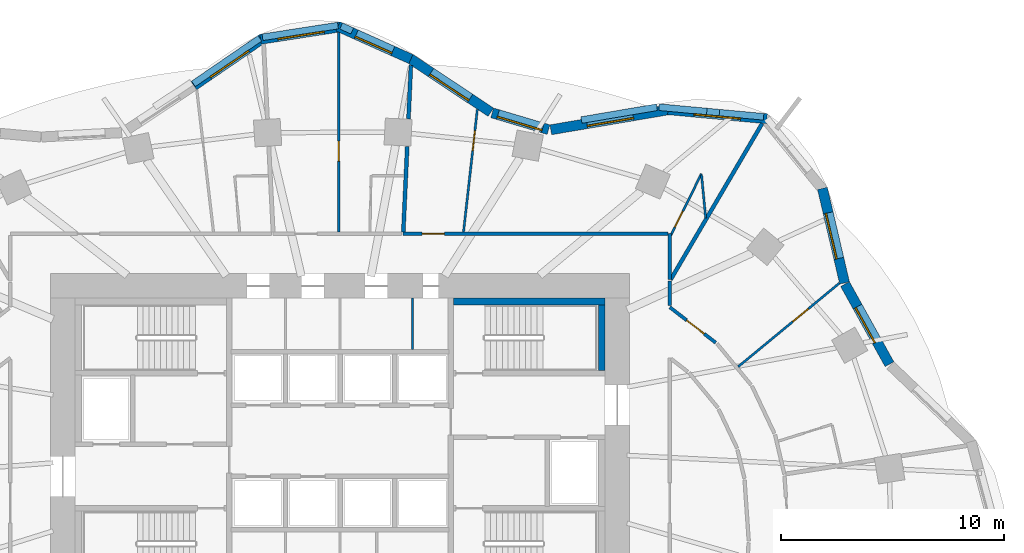
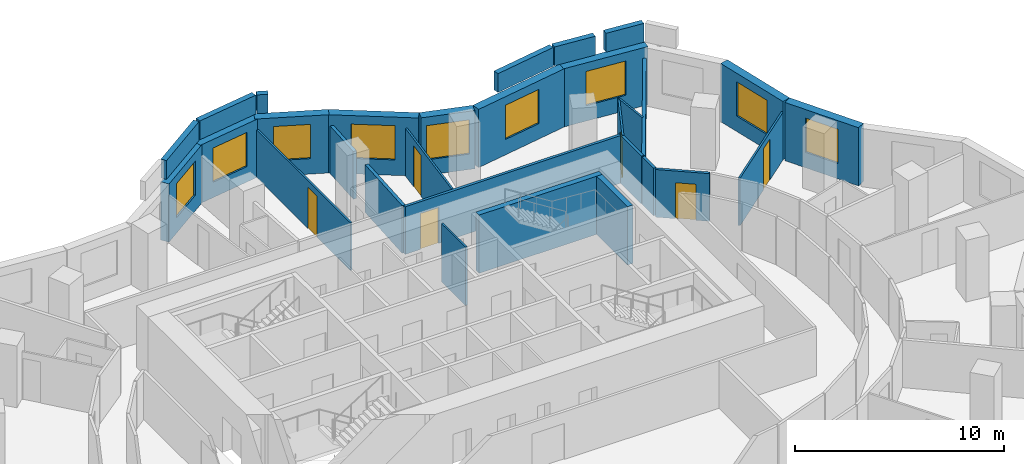
# One storey, part 9 of 11: 30 walls, 9 windows, 6 doors, 15 openings.
"""IFC4 building model written with IfcOpenShell, lengths in metres."""

from ifc_helpers import new_model, si_unit, direction, frame, frame_2d, origin, place, context, subcontext, project, spatial, rectangle, extrude, material, layer, layer_set, type_object, element, fill, save


model = new_model("IFC4")

# Units and contexts
model_context = context("Model", 3, precision=1e-05, world=origin(), true_north=direction((0.0, 1.0)))
body_context = subcontext(model_context, "Body", "Model", "MODEL_VIEW")
ifc_project = project(units=[si_unit("LENGTHUNIT", "METRE"), si_unit("AREAUNIT", "SQUARE_METRE"), si_unit("VOLUMEUNIT", "CUBIC_METRE"), si_unit("PLANEANGLEUNIT", "RADIAN"), si_unit("MASSUNIT", "GRAM", prefix="KILO")], contexts=[model_context])

# Site, building, storey
site_placement = place(None, origin())
site = spatial("IfcSite", under=ifc_project, at=site_placement, CompositionType="ELEMENT")
building_placement = place(site_placement, origin())
building = spatial("IfcBuilding", under=site, at=building_placement, Name="Rubra Terraces Tower", CompositionType="ELEMENT")
storey_placement = place(building_placement, frame((0.0, 0.0, 81.60009765625)))
storey = spatial("IfcBuildingStorey", under=building, at=storey_placement, Name="L18", CompositionType="ELEMENT", Elevation=81.60009765625)

# Walls
ifc_material_1 = material(Name="Twin plasterboard on staggered steel stud, acoustic mineral wool", Category="steel")
ifc_layer_1 = layer(ifc_material_1, 0.175048828125)
ifc_layer_set_1 = layer_set([ifc_layer_1], Name="Twin plasterboard on staggered steel stud, acoustic mineral wool")
wall_type_1 = type_object("IfcWallType", Name="ACOUSTIC PARTY WALL 175", PredefinedType="PARTITIONING", material=ifc_layer_set_1)
wall_1_placement = place(storey_placement, frame((18.94873046875, 18.745361328125, 0.0), z_axis=(0.0, 0.0, 1.0), x_axis=(-0.505754187447, -0.862677634972, 0.0)))
element("IfcWall", 1, at=wall_1_placement, inside=storey, type_object=wall_type_1, Name="PARTITION", PredefinedType="PARTITIONING", context=body_context, shape_type="SweptSolid", body=[
    extrude(rectangle(XDim=8.128173828125, YDim=0.175048828125, at=frame_2d((4.06396484375, 0.0))), origin(), (0.0, 0.0, 1.0), 2.783935546875),
])
wall_2_placement = place(storey_placement, frame((3.180419921875, 21.357177734375, 0.0), z_axis=(0.0, 0.0, 1.0), x_axis=(-0.045591899448, -0.998960148707, 0.0)))
element("IfcWall", 2, at=wall_2_placement, inside=storey, type_object=wall_type_1, Name="PARTITION", PredefinedType="PARTITIONING", context=body_context, shape_type="SweptSolid", body=[
    extrude(rectangle(XDim=2.404296875, YDim=0.175048828125, at=frame_2d((1.2021484375, 0.0))), origin(), (0.0, 0.0, 1.0), 2.783935546875),
])
wall_3_placement = place(storey_placement, frame((3.01416015625, 17.716796875, 0.0), z_axis=(0.0, 0.0, 1.0), x_axis=(-0.045517086473, -0.998963560316, 0.0)))
element("IfcWall", 3, at=wall_3_placement, inside=storey, type_object=wall_type_1, Name="PARTITION", PredefinedType="PARTITIONING", context=body_context, shape_type="SweptSolid", body=[
    extrude(rectangle(XDim=3.845703125, YDim=0.175048828125, at=frame_2d((1.9228515625, 0.0))), origin(), (0.0, 0.0, 1.0), 2.783935546875),
])

# Wall, opening, window
ifc_material_2 = material(Name="Brick masonry red-brown", Category="masonry")
ifc_layer_2 = layer(ifc_material_2, 0.449951171875)
ifc_layer_set_2 = layer_set([ifc_layer_2], Name="Brick masonry red-brown")
wall_type_2 = type_object("IfcWallType", Name="Brick facade wall 450", PredefinedType="SOLIDWALL", material=ifc_layer_set_2)
wall_4_placement = place(storey_placement, frame((24.662109375, 7.93896484375, 0.0), z_axis=(0.0, 0.0, 1.0), x_axis=(-0.485153910721, 0.874428775208, 0.0)))
wall_4 = element("IfcWall", 4, at=wall_4_placement, inside=storey, type_object=wall_type_2, Name="Facade wall L18 bay 3", PredefinedType="SOLIDWALL", context=body_context, shape_type="SweptSolid", body=[
    extrude(rectangle(XDim=4.1123046875, YDim=0.449951171875, at=frame_2d((2.05615234375, 0.0))), origin(), (0.0, 0.0, 1.0), 3.39990234375),
])
opening_1_placement = place(wall_4_placement, frame((1.15625, 0.0, 0.89990234375)))
opening_1 = element("IfcOpeningElement", 5, at=opening_1_placement, cuts=wall_4, Name="Opening W6", PredefinedType="OPENING", context=body_context, shape_type="SweptSolid", body=[
    extrude(rectangle(XDim=1.800048828125, YDim=2.0, at=frame_2d((0.89990234375, 1.0))), frame((0.0, 0.23486328125, 0.0), z_axis=(0.0, -1.0, 0.0), x_axis=(1.0, 0.0, 0.0)), (0.0, 0.0, 1.0), 0.469970703125),
])
ifc_material_3 = material(Name="Clear glass in aluminium frame", Category="aluminium")
window_type_1 = type_object("IfcWindowType", Name="Fixed deep-set window at wind fin 1800 x 2000", PartitioningType="SINGLE_PANEL", PredefinedType="WINDOW", material=ifc_material_3)
window_1_placement = place(opening_1_placement, origin())
window_1 = element("IfcWindow", 6, at=window_1_placement, inside=storey, type_object=window_type_1, Name="Window L18 bay 3", OverallHeight=2.0, OverallWidth=1.800048828125, PartitioningType="SINGLE_PANEL", PredefinedType="WINDOW", context=body_context, shape_type="SweptSolid", body=[
    extrude(rectangle(XDim=1.800048828125, YDim=2.0, at=frame_2d((0.89990234375, 1.0))), frame((0.0, 0.135009765625, 0.0), z_axis=(0.0, -1.0, 0.0), x_axis=(1.0, 0.0, 0.0)), (0.0, 0.0, 1.0), 0.06005859375),
])
fill(opening_1, window_1)

wall_5_placement = place(storey_placement, frame((22.646484375, 11.5859375, 0.0), z_axis=(0.0, 0.0, 1.0), x_axis=(-0.227925124198, 0.973678662475, 0.0)))
wall_5 = element("IfcWall", 7, at=wall_5_placement, inside=storey, type_object=wall_type_2, Name="Facade wall L18 bay 4", PredefinedType="SOLIDWALL", context=body_context, shape_type="SweptSolid", body=[
    extrude(rectangle(XDim=4.360595703125, YDim=0.449951171875, at=frame_2d((2.18017578125, 0.0))), origin(), (0.0, 0.0, 1.0), 3.39990234375),
])
opening_2_placement = place(wall_5_placement, frame((1.13037109375, 0.0, 0.89990234375)))
opening_2 = element("IfcOpeningElement", 8, at=opening_2_placement, cuts=wall_5, Name="Opening W1", PredefinedType="OPENING", context=body_context, shape_type="SweptSolid", body=[
    extrude(rectangle(XDim=2.10009765625, YDim=2.0, at=frame_2d((1.050048828125, 1.0))), frame((0.0, 0.23486328125, 0.0), z_axis=(0.0, -1.0, 0.0), x_axis=(1.0, 0.0, 0.0)), (0.0, 0.0, 1.0), 0.469970703125),
])
window_type_2 = type_object("IfcWindowType", Name="Fixed deep-set window 2100 x 2000", PartitioningType="SINGLE_PANEL", PredefinedType="WINDOW", material=ifc_material_3)
window_2_placement = place(opening_2_placement, origin())
window_2 = element("IfcWindow", 9, at=window_2_placement, inside=storey, type_object=window_type_2, Name="Window L18 bay 4", OverallHeight=2.0, OverallWidth=2.10009765625, PartitioningType="SINGLE_PANEL", PredefinedType="WINDOW", context=body_context, shape_type="SweptSolid", body=[
    extrude(rectangle(XDim=2.10009765625, YDim=2.0, at=frame_2d((1.050048828125, 1.0))), frame((0.0, 0.135009765625, 0.0), z_axis=(0.0, -1.0, 0.0), x_axis=(1.0, 0.0, 0.0)), (0.0, 0.0, 1.0), 0.06005859375),
])
fill(opening_2, window_2)

wall_6_placement = place(storey_placement, frame((19.1591796875, 18.955810546875, 0.0), z_axis=(0.0, 0.0, 1.0), x_axis=(-0.995777399421, 0.091800712424, 0.0)))
wall_6 = element("IfcWall", 10, at=wall_6_placement, inside=storey, type_object=wall_type_2, Name="Facade wall L18 bay 6", PredefinedType="SOLIDWALL", context=body_context, shape_type="SweptSolid", body=[
    extrude(rectangle(XDim=4.45458984375, YDim=0.449951171875, at=frame_2d((2.227294921875, 0.0))), origin(), (0.0, 0.0, 1.0), 3.39990234375),
])
opening_3_placement = place(wall_6_placement, frame((1.177490234375, 0.0, 0.89990234375)))
opening_3 = element("IfcOpeningElement", 11, at=opening_3_placement, cuts=wall_6, Name="Opening W1", PredefinedType="OPENING", context=body_context, shape_type="SweptSolid", body=[
    extrude(rectangle(XDim=2.10009765625, YDim=2.0, at=frame_2d((1.050048828125, 1.0))), frame((0.0, 0.23486328125, 0.0), z_axis=(0.0, -1.0, 0.0), x_axis=(1.0, 0.0, 0.0)), (0.0, 0.0, 1.0), 0.469970703125),
])
window_3_placement = place(opening_3_placement, origin())
window_3 = element("IfcWindow", 12, at=window_3_placement, inside=storey, type_object=window_type_2, Name="Window L18 bay 6", OverallHeight=2.0, OverallWidth=2.10009765625, PartitioningType="SINGLE_PANEL", PredefinedType="WINDOW", context=body_context, shape_type="SweptSolid", body=[
    extrude(rectangle(XDim=2.10009765625, YDim=2.0, at=frame_2d((1.050048828125, 1.0))), frame((0.0, 0.135009765625, 0.0), z_axis=(0.0, -1.0, 0.0), x_axis=(1.0, 0.0, 0.0)), (0.0, 0.0, 1.0), 0.06005859375),
])
fill(opening_3, window_3)

wall_7_placement = place(storey_placement, frame((14.78173828125, 19.366943359375, 0.0), z_axis=(0.0, 0.0, 1.0), x_axis=(-0.98585584667, -0.167595493934, 0.0)))
wall_7 = element("IfcWall", 13, at=wall_7_placement, inside=storey, type_object=wall_type_2, Name="Facade wall L18 bay 7", PredefinedType="SOLIDWALL", context=body_context, shape_type="SweptSolid", body=[
    extrude(rectangle(XDim=5.398681640625, YDim=0.449951171875, at=frame_2d((2.69921875, 0.0))), origin(), (0.0, 0.0, 1.0), 3.39990234375),
])
opening_4_placement = place(wall_7_placement, frame((1.6494140625, 0.0, 0.89990234375)))
opening_4 = element("IfcOpeningElement", 14, at=opening_4_placement, cuts=wall_7, Name="Opening W1", PredefinedType="OPENING", context=body_context, shape_type="SweptSolid", body=[
    extrude(rectangle(XDim=2.10009765625, YDim=2.0, at=frame_2d((1.050048828125, 1.0))), frame((0.0, 0.23486328125, 0.0), z_axis=(0.0, -1.0, 0.0), x_axis=(1.0, 0.0, 0.0)), (0.0, 0.0, 1.0), 0.469970703125),
])
window_4_placement = place(opening_4_placement, origin())
window_4 = element("IfcWindow", 15, at=window_4_placement, inside=storey, type_object=window_type_2, Name="Window L18 bay 7", OverallHeight=2.0, OverallWidth=2.10009765625, PartitioningType="SINGLE_PANEL", PredefinedType="WINDOW", context=body_context, shape_type="SweptSolid", body=[
    extrude(rectangle(XDim=2.10009765625, YDim=2.0, at=frame_2d((1.050048828125, 1.0))), frame((0.0, 0.135009765625, 0.0), z_axis=(0.0, -1.0, 0.0), x_axis=(1.0, 0.0, 0.0)), (0.0, 0.0, 1.0), 0.06005859375),
])
fill(opening_4, window_4)

wall_8_placement = place(storey_placement, frame((9.357421875, 18.468505859375, 0.0), z_axis=(0.0, 0.0, 1.0), x_axis=(-0.958524054629, 0.285011643091, 0.0)))
wall_8 = element("IfcWall", 16, at=wall_8_placement, inside=storey, type_object=wall_type_2, Name="Facade wall L18 bay 8", PredefinedType="SOLIDWALL", context=body_context, shape_type="SweptSolid", body=[
    extrude(rectangle(XDim=2.637451171875, YDim=0.449951171875, at=frame_2d((1.31884765625, 0.0))), origin(), (0.0, 0.0, 1.0), 3.39990234375),
])
opening_5_placement = place(wall_8_placement, frame((0.268798828125, 0.0, 0.89990234375)))
opening_5 = element("IfcOpeningElement", 17, at=opening_5_placement, cuts=wall_8, Name="Opening W1", PredefinedType="OPENING", context=body_context, shape_type="SweptSolid", body=[
    extrude(rectangle(XDim=2.10009765625, YDim=2.0, at=frame_2d((1.050048828125, 1.0))), frame((0.0, 0.23486328125, 0.0), z_axis=(0.0, -1.0, 0.0), x_axis=(1.0, 0.0, 0.0)), (0.0, 0.0, 1.0), 0.469970703125),
])
window_5_placement = place(opening_5_placement, origin())
window_5 = element("IfcWindow", 18, at=window_5_placement, inside=storey, type_object=window_type_2, Name="Window L18 bay 8", OverallHeight=2.0, OverallWidth=2.10009765625, PartitioningType="SINGLE_PANEL", PredefinedType="WINDOW", context=body_context, shape_type="SweptSolid", body=[
    extrude(rectangle(XDim=2.10009765625, YDim=2.0, at=frame_2d((1.050048828125, 1.0))), frame((0.0, 0.135009765625, 0.0), z_axis=(0.0, -1.0, 0.0), x_axis=(1.0, 0.0, 0.0)), (0.0, 0.0, 1.0), 0.06005859375),
])
fill(opening_5, window_5)

wall_9_placement = place(storey_placement, frame((6.76904296875, 19.248291015625, 0.0), z_axis=(0.0, 0.0, 1.0), x_axis=(-0.832973379274, 0.553313066375, 0.0)))
wall_9 = element("IfcWall", 19, at=wall_9_placement, inside=storey, type_object=wall_type_2, Name="Facade wall L18 bay 9", PredefinedType="SOLIDWALL", context=body_context, shape_type="SweptSolid", body=[
    extrude(rectangle(XDim=4.348388671875, YDim=0.449951171875, at=frame_2d((2.17431640625, 0.0))), origin(), (0.0, 0.0, 1.0), 3.39990234375),
])
opening_6_placement = place(wall_9_placement, frame((1.1240234375, 0.0, 0.89990234375)))
opening_6 = element("IfcOpeningElement", 20, at=opening_6_placement, cuts=wall_9, Name="Opening W1", PredefinedType="OPENING", context=body_context, shape_type="SweptSolid", body=[
    extrude(rectangle(XDim=2.10009765625, YDim=2.0, at=frame_2d((1.050048828125, 1.0))), frame((0.0, 0.23486328125, 0.0), z_axis=(0.0, -1.0, 0.0), x_axis=(1.0, 0.0, 0.0)), (0.0, 0.0, 1.0), 0.469970703125),
])
window_6_placement = place(opening_6_placement, origin())
window_6 = element("IfcWindow", 21, at=window_6_placement, inside=storey, type_object=window_type_2, Name="Window L18 bay 9", OverallHeight=2.0, OverallWidth=2.10009765625, PartitioningType="SINGLE_PANEL", PredefinedType="WINDOW", context=body_context, shape_type="SweptSolid", body=[
    extrude(rectangle(XDim=2.10009765625, YDim=2.0, at=frame_2d((1.050048828125, 1.0))), frame((0.0, 0.135009765625, 0.0), z_axis=(0.0, -1.0, 0.0), x_axis=(1.0, 0.0, 0.0)), (0.0, 0.0, 1.0), 0.06005859375),
])
fill(opening_6, window_6)

wall_10_placement = place(storey_placement, frame((3.179443359375, 21.63623046875, 0.0), z_axis=(0.0, 0.0, 1.0), x_axis=(-0.912608353595, 0.40883492139, 0.0)))
wall_10 = element("IfcWall", 22, at=wall_10_placement, inside=storey, type_object=wall_type_2, Name="Facade wall L18 bay 10", PredefinedType="SOLIDWALL", context=body_context, shape_type="SweptSolid", body=[
    extrude(rectangle(XDim=3.584716796875, YDim=0.449951171875, at=frame_2d((1.79248046875, 0.0))), origin(), (0.0, 0.0, 1.0), 3.39990234375),
])
opening_7_placement = place(wall_10_placement, frame((0.892333984375, 0.0, 0.89990234375)))
opening_7 = element("IfcOpeningElement", 23, at=opening_7_placement, cuts=wall_10, Name="Opening W6", PredefinedType="OPENING", context=body_context, shape_type="SweptSolid", body=[
    extrude(rectangle(XDim=1.800048828125, YDim=2.0, at=frame_2d((0.89990234375, 1.0))), frame((0.0, 0.23486328125, 0.0), z_axis=(0.0, -1.0, 0.0), x_axis=(1.0, 0.0, 0.0)), (0.0, 0.0, 1.0), 0.469970703125),
])
window_7_placement = place(opening_7_placement, origin())
window_7 = element("IfcWindow", 24, at=window_7_placement, inside=storey, type_object=window_type_1, Name="Window L18 bay 10", OverallHeight=2.0, OverallWidth=1.800048828125, PartitioningType="SINGLE_PANEL", PredefinedType="WINDOW", context=body_context, shape_type="SweptSolid", body=[
    extrude(rectangle(XDim=1.800048828125, YDim=2.0, at=frame_2d((0.89990234375, 1.0))), frame((0.0, 0.135009765625, 0.0), z_axis=(0.0, -1.0, 0.0), x_axis=(1.0, 0.0, 0.0)), (0.0, 0.0, 1.0), 0.06005859375),
])
fill(opening_7, window_7)

wall_11_placement = place(storey_placement, frame((0.03466796875, 23.084716796875, 0.0), z_axis=(0.0, 0.0, 1.0), x_axis=(-0.988133637562, -0.153596596054, 0.0)))
wall_11 = element("IfcWall", 25, at=wall_11_placement, inside=storey, type_object=wall_type_2, Name="Facade wall L18 bay 11", PredefinedType="SOLIDWALL", context=body_context, shape_type="SweptSolid", body=[
    extrude(rectangle(XDim=3.646240234375, YDim=0.449951171875, at=frame_2d((1.8232421875, 0.0))), origin(), (0.0, 0.0, 1.0), 3.39990234375),
])
opening_8_placement = place(wall_11_placement, frame((0.773193359375, 0.0, 0.89990234375)))
opening_8 = element("IfcOpeningElement", 26, at=opening_8_placement, cuts=wall_11, Name="Opening W1", PredefinedType="OPENING", context=body_context, shape_type="SweptSolid", body=[
    extrude(rectangle(XDim=2.10009765625, YDim=2.0, at=frame_2d((1.050048828125, 1.0))), frame((0.0, 0.23486328125, 0.0), z_axis=(0.0, -1.0, 0.0), x_axis=(1.0, 0.0, 0.0)), (0.0, 0.0, 1.0), 0.469970703125),
])
window_8_placement = place(opening_8_placement, origin())
window_8 = element("IfcWindow", 27, at=window_8_placement, inside=storey, type_object=window_type_2, Name="Window L18 bay 11", OverallHeight=2.0, OverallWidth=2.10009765625, PartitioningType="SINGLE_PANEL", PredefinedType="WINDOW", context=body_context, shape_type="SweptSolid", body=[
    extrude(rectangle(XDim=2.10009765625, YDim=2.0, at=frame_2d((1.050048828125, 1.0))), frame((0.0, 0.135009765625, 0.0), z_axis=(0.0, -1.0, 0.0), x_axis=(1.0, 0.0, 0.0)), (0.0, 0.0, 1.0), 0.06005859375),
])
fill(opening_8, window_8)

wall_12_placement = place(storey_placement, frame((-3.478515625, 22.559814453125, 0.0), z_axis=(0.0, 0.0, 1.0), x_axis=(-0.824722766417, -0.565537230033, 0.0)))
wall_12 = element("IfcWall", 28, at=wall_12_placement, inside=storey, type_object=wall_type_2, Name="Facade wall L18 bay 12", PredefinedType="SOLIDWALL", context=body_context, shape_type="SweptSolid", body=[
    extrude(rectangle(XDim=3.742431640625, YDim=0.449951171875, at=frame_2d((1.87109375, 0.0))), origin(), (0.0, 0.0, 1.0), 3.39990234375),
])
opening_9_placement = place(wall_12_placement, frame((0.8212890625, 0.0, 0.89990234375)))
opening_9 = element("IfcOpeningElement", 29, at=opening_9_placement, cuts=wall_12, Name="Opening W1", PredefinedType="OPENING", context=body_context, shape_type="SweptSolid", body=[
    extrude(rectangle(XDim=2.10009765625, YDim=2.0, at=frame_2d((1.050048828125, 1.0))), frame((0.0, 0.23486328125, 0.0), z_axis=(0.0, -1.0, 0.0), x_axis=(1.0, 0.0, 0.0)), (0.0, 0.0, 1.0), 0.469970703125),
])
window_9_placement = place(opening_9_placement, origin())
window_9 = element("IfcWindow", 30, at=window_9_placement, inside=storey, type_object=window_type_2, Name="Window L18 bay 12", OverallHeight=2.0, OverallWidth=2.10009765625, PartitioningType="SINGLE_PANEL", PredefinedType="WINDOW", context=body_context, shape_type="SweptSolid", body=[
    extrude(rectangle(XDim=2.10009765625, YDim=2.0, at=frame_2d((1.050048828125, 1.0))), frame((0.0, 0.135009765625, 0.0), z_axis=(0.0, -1.0, 0.0), x_axis=(1.0, 0.0, 0.0)), (0.0, 0.0, 1.0), 0.06005859375),
])
fill(opening_9, window_9)

# Walls
ifc_layer_3 = layer(ifc_material_2, 0.300048828125)
ifc_layer_set_3 = layer_set([ifc_layer_3], Name="Brick masonry red-brown")
wall_type_3 = type_object("IfcWallType", Name="Brick parapet 300", PredefinedType="PARAPET", material=ifc_layer_set_3)
wall_13_placement = place(storey_placement, frame((19.01123046875, 19.044921875, 3.599853515625), z_axis=(0.0, 0.0, 1.0), x_axis=(-0.995779953678, 0.09177300176, 0.0)))
element("IfcWall", 31, at=wall_13_placement, inside=storey, type_object=wall_type_3, Name="Parapet L18 bay 6", PredefinedType="PARAPET", context=body_context, shape_type="SweptSolid", body=[
    extrude(rectangle(XDim=1.992431640625, YDim=0.300048828125, at=frame_2d((0.99609375, 0.0))), origin(), (0.0, 0.0, 1.0), 1.10009765625),
])
wall_14_placement = place(storey_placement, frame((16.461669921875, 19.27978515625, 3.599853515625), z_axis=(0.0, 0.0, 1.0), x_axis=(-0.995778015376, 0.091794030816, 0.0)))
element("IfcWall", 32, at=wall_14_placement, inside=storey, type_object=wall_type_3, Name="Parapet L18 bay 6.2", PredefinedType="PARAPET", context=body_context, shape_type="SweptSolid", body=[
    extrude(rectangle(XDim=2.151611328125, YDim=0.300048828125, at=frame_2d((1.07568359375, 0.0))), origin(), (0.0, 0.0, 1.0), 1.10009765625),
])
wall_15_placement = place(storey_placement, frame((14.220947265625, 19.473388671875, 3.599853515625), z_axis=(0.0, 0.0, 1.0), x_axis=(-0.985864880964, -0.167542342353, 0.0)))
element("IfcWall", 33, at=wall_15_placement, inside=storey, type_object=wall_type_3, Name="Parapet L18 bay 7", PredefinedType="PARAPET", context=body_context, shape_type="SweptSolid", body=[
    extrude(rectangle(XDim=3.4375, YDim=0.300048828125, at=frame_2d((1.71875, 0.0))), origin(), (0.0, 0.0, 1.0), 1.10009765625),
])
wall_16_placement = place(storey_placement, frame((0.54541015625, 22.898193359375, 3.599853515625), z_axis=(0.0, 0.0, 1.0), x_axis=(-0.912497815069, 0.409081578044, 0.0)))
element("IfcWall", 34, at=wall_16_placement, inside=storey, type_object=wall_type_3, Name="Parapet L18 bay 10", PredefinedType="PARAPET", context=body_context, shape_type="SweptSolid", body=[
    extrude(rectangle(XDim=0.546142578125, YDim=0.300048828125, at=frame_2d((0.27294921875, 0.0))), origin(), (0.0, 0.0, 1.0), 1.10009765625),
])
wall_17_placement = place(storey_placement, frame((-0.09423828125, 23.140380859375, 3.599853515625), z_axis=(0.0, 0.0, 1.0), x_axis=(-0.988150084887, -0.153490748056, 0.0)))
element("IfcWall", 35, at=wall_17_placement, inside=storey, type_object=wall_type_3, Name="Parapet L18 bay 11", PredefinedType="PARAPET", context=body_context, shape_type="SweptSolid", body=[
    extrude(rectangle(XDim=3.42919921875, YDim=0.300048828125, at=frame_2d((1.714599609375, 0.0))), origin(), (0.0, 0.0, 1.0), 1.10009765625),
])
wall_18_placement = place(storey_placement, frame((-3.59912109375, 22.56787109375, 3.599853515625), z_axis=(0.0, 0.0, 1.0), x_axis=(-0.82476034254, -0.565482428881, 0.0)))
element("IfcWall", 36, at=wall_18_placement, inside=storey, type_object=wall_type_3, Name="Parapet L18 bay 12", PredefinedType="PARAPET", context=body_context, shape_type="SweptSolid", body=[
    extrude(rectangle(XDim=3.61572265625, YDim=0.300048828125, at=frame_2d((1.807861328125, 0.0))), origin(), (0.0, 0.0, 1.0), 1.10009765625),
])

# Wall, opening, door
ifc_material_4 = material(Name="Plasterboard on steel stud, mineral wool infill", Category="steel")
ifc_layer_4 = layer(ifc_material_4, 0.14990234375)
ifc_layer_set_4 = layer_set([ifc_layer_4], Name="Plasterboard on steel stud, mineral wool infill")
wall_type_4 = type_object("IfcWallType", Name="CORRIDOR PARTITION 150", PredefinedType="PARTITIONING", material=ifc_layer_set_4)
wall_19_placement = place(storey_placement, frame((16.86181640625, 8.905029296875, 0.0), z_axis=(0.0, 0.0, 1.0), x_axis=(-0.791542595332, 0.611113999001, 0.0)))
wall_19 = element("IfcWall", 37, at=wall_19_placement, inside=storey, type_object=wall_type_4, Name="PARTITION", PredefinedType="PARTITIONING", context=body_context, shape_type="SweptSolid", body=[
    extrude(rectangle(XDim=2.604736328125, YDim=0.14990234375, at=frame_2d((1.30224609375, 0.0))), origin(), (0.0, 0.0, 1.0), 2.783935546875),
])
opening_10_placement = place(wall_19_placement, frame((0.64990234375, 0.0, 0.0)))
opening_10 = element("IfcOpeningElement", 38, at=opening_10_placement, cuts=wall_19, Name="Opening 18-103", PredefinedType="OPENING", context=body_context, shape_type="SweptSolid", body=[
    extrude(rectangle(XDim=1.0, YDim=2.10009765625, at=frame_2d((0.5, 1.050048828125))), frame((0.0, 0.0849609375, 0.0), z_axis=(0.0, -1.0, 0.0), x_axis=(1.0, 0.0, 0.0)), (0.0, 0.0, 1.0), 0.169921875),
])
ifc_material_5 = material(Name="Painted timber door leaf", Category="wood")
door_type_1 = type_object("IfcDoorType", Name="ROOM DOOR 1000 X 2100", OperationType="SINGLE_SWING_LEFT", PredefinedType="DOOR", material=ifc_material_5)
door_1_placement = place(opening_10_placement, origin())
door_1 = element("IfcDoor", 39, at=door_1_placement, inside=storey, type_object=door_type_1, Name="DOOR 18-103", OperationType="SINGLE_SWING_RIGHT", OverallHeight=2.10009765625, OverallWidth=1.0, PredefinedType="DOOR", context=body_context, shape_type="SweptSolid", body=[
    extrude(rectangle(XDim=1.0, YDim=2.10009765625, at=frame_2d((0.5, 1.050048828125))), frame((0.0, 0.02490234375, 0.0), z_axis=(0.0, -1.0, 0.0), x_axis=(1.0, 0.0, 0.0)), (0.0, 0.0, 1.0), 0.050048828125),
])
fill(opening_10, door_1)

# Walls
wall_20_placement = place(storey_placement, frame((14.800048828125, 10.57177734375, 0.0), z_axis=(0.0, 0.0, 1.0), x_axis=(0.0, 1.0, 0.0)))
element("IfcWall", 40, at=wall_20_placement, inside=storey, type_object=wall_type_4, Name="PARTITION", PredefinedType="PARTITIONING", context=body_context, shape_type="SweptSolid", body=[
    extrude(rectangle(XDim=1.096923828125, YDim=0.14990234375, at=frame_2d((0.54833984375, 0.0))), origin(), (0.0, 0.0, 1.0), 2.783935546875),
])
wall_21_placement = place(storey_placement, frame((14.800048828125, 11.74365234375, 0.0), z_axis=(0.0, 0.0, 1.0), x_axis=(0.0, 1.0, 0.0)))
element("IfcWall", 41, at=wall_21_placement, inside=storey, type_object=wall_type_4, Name="PARTITION", PredefinedType="PARTITIONING", context=body_context, shape_type="SweptSolid", body=[
    extrude(rectangle(XDim=2.056396484375, YDim=0.14990234375, at=frame_2d((1.0283203125, 0.0))), origin(), (0.0, 0.0, 1.0), 2.783935546875),
])

# Wall, opening, door
wall_22_placement = place(storey_placement, frame((14.72509765625, 13.800048828125, 0.0), z_axis=(0.0, 0.0, 1.0), x_axis=(-1.0, 0.0, 0.0)))
wall_22 = element("IfcWall", 42, at=wall_22_placement, inside=storey, type_object=wall_type_4, Name="PARTITION", PredefinedType="PARTITIONING", context=body_context, shape_type="SweptSolid", body=[
    extrude(rectangle(XDim=11.889404296875, YDim=0.14990234375, at=frame_2d((5.94482421875, 0.0))), origin(), (0.0, 0.0, 1.0), 2.783935546875),
])
opening_11_placement = place(wall_22_placement, frame((10.041015625, 0.0, 0.0)))
opening_11 = element("IfcOpeningElement", 43, at=opening_11_placement, cuts=wall_22, Name="Opening 18-106", PredefinedType="OPENING", context=body_context, shape_type="SweptSolid", body=[
    extrude(rectangle(XDim=1.0, YDim=2.10009765625, at=frame_2d((0.5, 1.050048828125))), frame((0.0, 0.0849609375, 0.0), z_axis=(0.0, -1.0, 0.0), x_axis=(1.0, 0.0, 0.0)), (0.0, 0.0, 1.0), 0.169921875),
])
door_2_placement = place(opening_11_placement, origin())
door_2 = element("IfcDoor", 44, at=door_2_placement, inside=storey, type_object=door_type_1, Name="DOOR 18-106", OperationType="SINGLE_SWING_RIGHT", OverallHeight=2.10009765625, OverallWidth=1.0, PredefinedType="DOOR", context=body_context, shape_type="SweptSolid", body=[
    extrude(rectangle(XDim=1.0, YDim=2.10009765625, at=frame_2d((0.5, 1.050048828125))), frame((0.0, 0.02490234375, 0.0), z_axis=(0.0, -1.0, 0.0), x_axis=(1.0, 0.0, 0.0)), (0.0, 0.0, 1.0), 0.050048828125),
])
fill(opening_11, door_2)

# Walls
ifc_material_6 = material(Name="Concrete C40", Category="concrete")
ifc_layer_5 = layer(ifc_material_6, 0.300048828125)
ifc_layer_set_5 = layer_set([ifc_layer_5], Name="Concrete C40")
wall_type_5 = type_object("IfcWallType", Name="Core lining wall 300 concrete", PredefinedType="SOLIDWALL", material=ifc_layer_set_5)
wall_23_placement = place(storey_placement, frame((11.89990234375, 10.75, 0.0), z_axis=(0.0, 0.0, 1.0), x_axis=(-1.0, 0.0, 0.0)))
element("IfcWall", 45, at=wall_23_placement, inside=storey, type_object=wall_type_5, Name="CORE LINING WALL L18", PredefinedType="SOLIDWALL", context=body_context, shape_type="SweptSolid", body=[
    extrude(rectangle(XDim=6.7998046875, YDim=0.300048828125, at=frame_2d((3.39990234375, 0.0))), origin(), (0.0, 0.0, 1.0), 3.39990234375),
])
wall_24_placement = place(storey_placement, frame((11.75, 10.60009765625, 0.0), z_axis=(0.0, 0.0, 1.0), x_axis=(0.0, -1.0, 0.0)))
element("IfcWall", 46, at=wall_24_placement, inside=storey, type_object=wall_type_5, Name="CORE LINING WALL L18", PredefinedType="SOLIDWALL", context=body_context, shape_type="SweptSolid", body=[
    extrude(rectangle(XDim=2.9501953125, YDim=0.300048828125, at=frame_2d((1.47509765625, 0.0))), origin(), (0.0, 0.0, 1.0), 3.39990234375),
])

# Wall, opening, door
ifc_material_7 = material(Name="Plasterboard on steel stud", Category="steel")
ifc_layer_6 = layer(ifc_material_7, 0.10009765625)
ifc_layer_set_6 = layer_set([ifc_layer_6], Name="Plasterboard on steel stud")
wall_type_6 = type_object("IfcWallType", Name="ROOM PARTITION 100", PredefinedType="PARTITIONING", material=ifc_layer_set_6)
wall_25_placement = place(storey_placement, frame((22.41357421875, 11.576416015625, 0.0), z_axis=(0.0, 0.0, 1.0), x_axis=(-0.77113161257, -0.636675769992, 0.0)))
wall_25 = element("IfcWall", 47, at=wall_25_placement, inside=storey, type_object=wall_type_6, Name="PARTITION", PredefinedType="PARTITIONING", context=body_context, shape_type="SweptSolid", body=[
    extrude(rectangle(XDim=5.890380859375, YDim=0.10009765625, at=frame_2d((2.9453125, 0.0))), origin(), (0.0, 0.0, 1.0), 2.783935546875),
])
opening_12_placement = place(wall_25_placement, frame((1.81494140625, 0.0, 0.0)))
opening_12 = element("IfcOpeningElement", 48, at=opening_12_placement, cuts=wall_25, Name="Opening 18-102", PredefinedType="OPENING", context=body_context, shape_type="SweptSolid", body=[
    extrude(rectangle(XDim=0.89990234375, YDim=2.39990234375, at=frame_2d((0.449951171875, 1.199951171875))), frame((0.0, 0.06005859375, 0.0), z_axis=(0.0, -1.0, 0.0), x_axis=(1.0, 0.0, 0.0)), (0.0, 0.0, 1.0), 0.1201171875),
])
ifc_material_8 = material(Name="Veneered timber door leaf, fire-rated", Category="wood")
door_type_2 = type_object("IfcDoorType", Name="SUITE ENTRANCE DOOR 900 X 2400", OperationType="SINGLE_SWING_LEFT", PredefinedType="DOOR", material=ifc_material_8)
door_3_placement = place(opening_12_placement, origin())
door_3 = element("IfcDoor", 49, at=door_3_placement, inside=storey, type_object=door_type_2, Name="DOOR 18-102", OperationType="SINGLE_SWING_LEFT", OverallHeight=2.39990234375, OverallWidth=0.89990234375, PredefinedType="DOOR", context=body_context, shape_type="SweptSolid", body=[
    extrude(rectangle(XDim=0.89990234375, YDim=2.39990234375, at=frame_2d((0.449951171875, 1.199951171875))), frame((0.0, 0.02490234375, 0.0), z_axis=(0.0, -1.0, 0.0), x_axis=(1.0, 0.0, 0.0)), (0.0, 0.0, 1.0), 0.050048828125),
])
fill(opening_12, door_3)

wall_26_placement = place(storey_placement, frame((6.160888671875, 19.37744140625, 0.0), z_axis=(0.0, 0.0, 1.0), x_axis=(-0.11193626313, -0.993715388326, 0.0)))
wall_26 = element("IfcWall", 50, at=wall_26_placement, inside=storey, type_object=wall_type_6, Name="PARTITION", PredefinedType="PARTITIONING", context=body_context, shape_type="SweptSolid", body=[
    extrude(rectangle(XDim=5.537841796875, YDim=0.10009765625, at=frame_2d((2.76904296875, 0.0))), origin(), (0.0, 0.0, 1.0), 2.783935546875),
])
opening_13_placement = place(wall_26_placement, frame((0.962890625, 0.0, 0.0)))
opening_13 = element("IfcOpeningElement", 51, at=opening_13_placement, cuts=wall_26, Name="Opening 18-105", PredefinedType="OPENING", context=body_context, shape_type="SweptSolid", body=[
    extrude(rectangle(XDim=0.89990234375, YDim=2.39990234375, at=frame_2d((0.449951171875, 1.199951171875))), frame((0.0, 0.06005859375, 0.0), z_axis=(0.0, -1.0, 0.0), x_axis=(1.0, 0.0, 0.0)), (0.0, 0.0, 1.0), 0.1201171875),
])
door_4_placement = place(opening_13_placement, origin())
door_4 = element("IfcDoor", 52, at=door_4_placement, inside=storey, type_object=door_type_2, Name="DOOR 18-105", OperationType="SINGLE_SWING_LEFT", OverallHeight=2.39990234375, OverallWidth=0.89990234375, PredefinedType="DOOR", context=body_context, shape_type="SweptSolid", body=[
    extrude(rectangle(XDim=0.89990234375, YDim=2.39990234375, at=frame_2d((0.449951171875, 1.199951171875))), frame((0.0, 0.02490234375, 0.0), z_axis=(0.0, -1.0, 0.0), x_axis=(1.0, 0.0, 0.0)), (0.0, 0.0, 1.0), 0.050048828125),
])
fill(opening_13, door_4)

wall_27_placement = place(storey_placement, frame((14.833251953125, 13.685791015625, 0.0), z_axis=(0.0, 0.0, 1.0), x_axis=(0.443835356617, 0.896108350712, 0.0)))
wall_27 = element("IfcWall", 53, at=wall_27_placement, inside=storey, type_object=wall_type_6, Name="PARTITION", PredefinedType="PARTITIONING", context=body_context, shape_type="SweptSolid", body=[
    extrude(rectangle(XDim=3.125, YDim=0.10009765625, at=frame_2d((1.5625, 0.0))), origin(), (0.0, 0.0, 1.0), 2.783935546875),
])
opening_14_placement = place(wall_27_placement, frame((0.449951171875, 0.0, 0.0)))
opening_14 = element("IfcOpeningElement", 54, at=opening_14_placement, cuts=wall_27, Name="Opening 18-104", PredefinedType="OPENING", context=body_context, shape_type="SweptSolid", body=[
    extrude(rectangle(XDim=0.800048828125, YDim=2.10009765625, at=frame_2d((0.39990234375, 1.050048828125))), frame((0.0, 0.06005859375, 0.0), z_axis=(0.0, -1.0, 0.0), x_axis=(1.0, 0.0, 0.0)), (0.0, 0.0, 1.0), 0.1201171875),
])
door_type_3 = type_object("IfcDoorType", Name="BATHROOM DOOR 800 X 2100", OperationType="SINGLE_SWING_LEFT", PredefinedType="DOOR", material=ifc_material_5)
door_5_placement = place(opening_14_placement, origin())
door_5 = element("IfcDoor", 55, at=door_5_placement, inside=storey, type_object=door_type_3, Name="DOOR 18-104", OperationType="SINGLE_SWING_LEFT", OverallHeight=2.10009765625, OverallWidth=0.800048828125, PredefinedType="DOOR", context=body_context, shape_type="SweptSolid", body=[
    extrude(rectangle(XDim=0.800048828125, YDim=2.10009765625, at=frame_2d((0.39990234375, 1.050048828125))), frame((0.0, 0.02490234375, 0.0), z_axis=(0.0, -1.0, 0.0), x_axis=(1.0, 0.0, 0.0)), (0.0, 0.0, 1.0), 0.050048828125),
])
fill(opening_14, door_5)

# Wall
wall_28_placement = place(storey_placement, frame((16.22509765625, 16.436279296875, 0.0), z_axis=(0.0, 0.0, 1.0), x_axis=(0.095954429619, -0.995385727965, 0.0)))
element("IfcWall", 56, at=wall_28_placement, inside=storey, type_object=wall_type_6, Name="PARTITION", PredefinedType="PARTITIONING", context=body_context, shape_type="SweptSolid", body=[
    extrude(rectangle(XDim=1.94140625, YDim=0.10009765625, at=frame_2d((0.970703125, 0.0))), origin(), (0.0, 0.0, 1.0), 2.783935546875),
])

# Wall, opening, door
wall_29_placement = place(storey_placement, frame((-0.0625, 22.83740234375, 0.0), z_axis=(0.0, 0.0, 1.0), x_axis=(0.000599291639, -0.999999820425, 0.0)))
wall_29 = element("IfcWall", 57, at=wall_29_placement, inside=storey, type_object=wall_type_6, Name="PARTITION", PredefinedType="PARTITIONING", context=body_context, shape_type="SweptSolid", body=[
    extrude(rectangle(XDim=8.96240234375, YDim=0.10009765625, at=frame_2d((4.481201171875, 0.0))), origin(), (0.0, 0.0, 1.0), 2.783935546875),
])
opening_15_placement = place(wall_29_placement, frame((4.887939453125, 0.0, 0.0)))
opening_15 = element("IfcOpeningElement", 58, at=opening_15_placement, cuts=wall_29, Name="Opening 18-108", PredefinedType="OPENING", context=body_context, shape_type="SweptSolid", body=[
    extrude(rectangle(XDim=0.89990234375, YDim=2.39990234375, at=frame_2d((0.449951171875, 1.199951171875))), frame((0.0, 0.06005859375, 0.0), z_axis=(0.0, -1.0, 0.0), x_axis=(1.0, 0.0, 0.0)), (0.0, 0.0, 1.0), 0.1201171875),
])
door_6_placement = place(opening_15_placement, origin())
door_6 = element("IfcDoor", 59, at=door_6_placement, inside=storey, type_object=door_type_2, Name="DOOR 18-108", OperationType="SINGLE_SWING_LEFT", OverallHeight=2.39990234375, OverallWidth=0.89990234375, PredefinedType="DOOR", context=body_context, shape_type="SweptSolid", body=[
    extrude(rectangle(XDim=0.89990234375, YDim=2.39990234375, at=frame_2d((0.449951171875, 1.199951171875))), frame((0.0, 0.02490234375, 0.0), z_axis=(0.0, -1.0, 0.0), x_axis=(1.0, 0.0, 0.0)), (0.0, 0.0, 1.0), 0.050048828125),
])
fill(opening_15, door_6)

# Wall
ifc_material_9 = material(Name="Blockwork", Category="masonry")
ifc_layer_7 = layer(ifc_material_9, 0.10009765625)
ifc_layer_set_7 = layer_set([ifc_layer_7], Name="Blockwork")
wall_type_7 = type_object("IfcWallType", Name="Service partition 100 blockwork", PredefinedType="PARTITIONING", material=ifc_layer_set_7)
wall_30_placement = place(storey_placement, frame((3.25, 8.60009765625, 0.0), z_axis=(0.0, 0.0, 1.0), x_axis=(0.0, 1.0, 0.0)))
element("IfcWall", 60, at=wall_30_placement, inside=storey, type_object=wall_type_7, Name="SERVICE ROOM PARTITION L18", PredefinedType="PARTITIONING", context=body_context, shape_type="SweptSolid", body=[
    extrude(rectangle(XDim=2.2998046875, YDim=0.10009765625, at=frame_2d((1.14990234375, 0.0))), origin(), (0.0, 0.0, 1.0), 3.39990234375),
])

save(model, "model.ifc")
